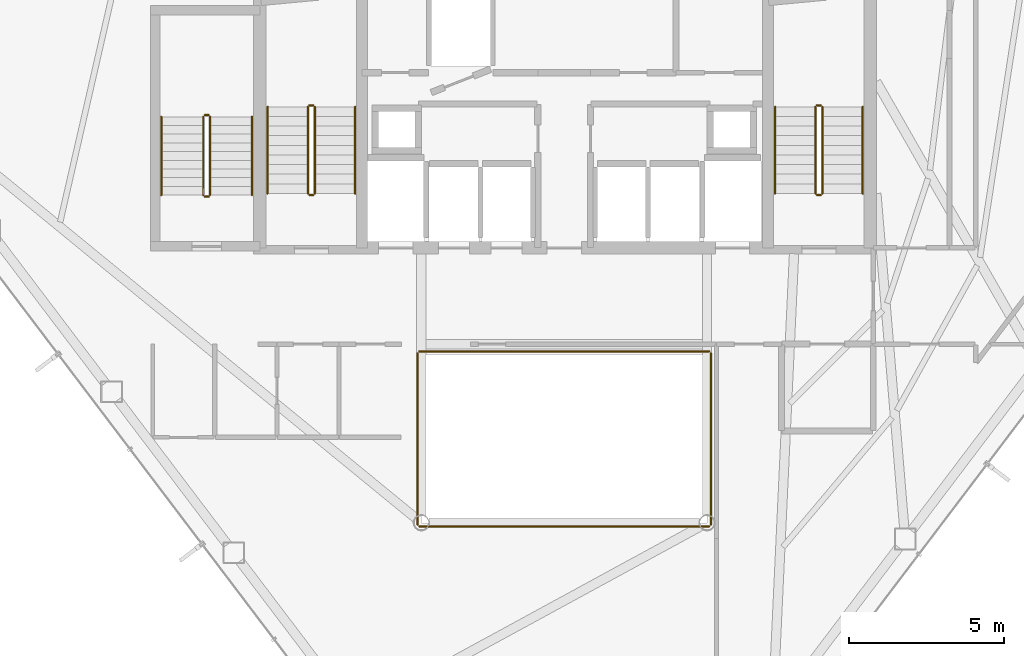
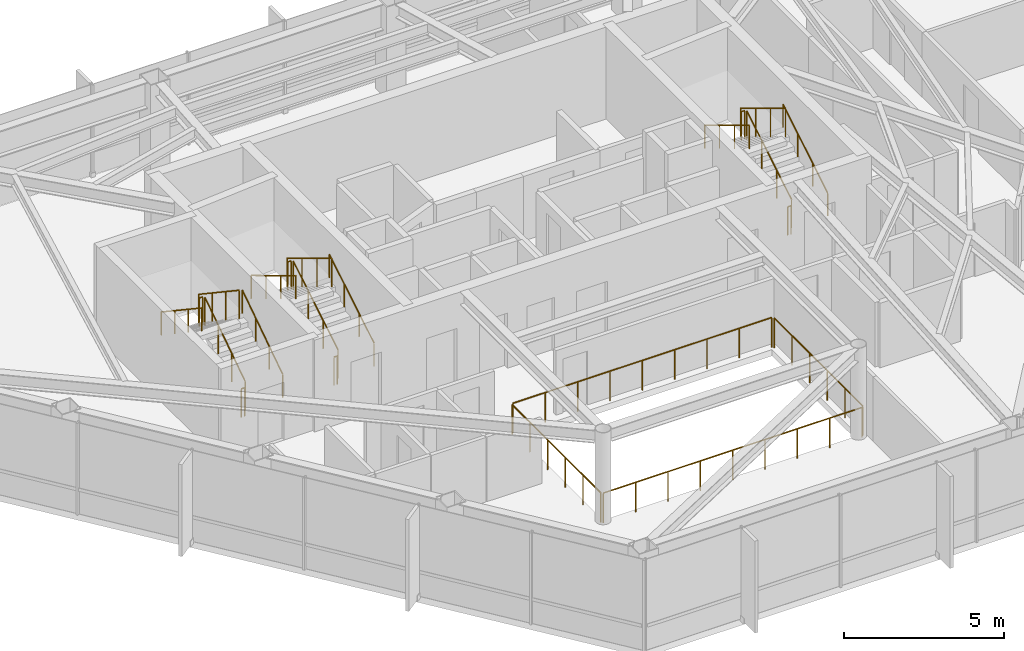
# One storey, part 28 of 28: 22 railings.
"""IFC4 building model written with IfcOpenShell, lengths in metres."""

from ifc_helpers import new_model, si_unit, direction, frame, origin, origin_2d, place, context, subcontext, project, spatial, circle, extrude, material, type_object, element, save


model = new_model("IFC4")

# Units and contexts
model_context = context("Model", 3, precision=1e-05, world=origin(), true_north=direction((0.0, 1.0)))
body_context = subcontext(model_context, "Body", "Model", "MODEL_VIEW")
ifc_project = project(units=[si_unit("LENGTHUNIT", "METRE"), si_unit("AREAUNIT", "SQUARE_METRE"), si_unit("VOLUMEUNIT", "CUBIC_METRE"), si_unit("PLANEANGLEUNIT", "RADIAN"), si_unit("MASSUNIT", "GRAM", prefix="KILO")], contexts=[model_context])

# Site, building, storey
site_placement = place(None, origin())
site = spatial("IfcSite", under=ifc_project, at=site_placement, CompositionType="ELEMENT")
building_placement = place(site_placement, origin())
building = spatial("IfcBuilding", under=site, at=building_placement, Name="Zarrinselat Tower", CompositionType="ELEMENT")
storey_placement = place(building_placement, frame((0.0, 0.0, 187.0)))
storey = spatial("IfcBuildingStorey", under=building, at=storey_placement, Name="L46", CompositionType="ELEMENT", Elevation=187.0)

# Railings
ifc_material_1 = material(Name="Double Low-E Laminated Solar Glass", Category="glass")
railing_type_1 = type_object("IfcRailingType", Name="RLG-ATRIUM-BAL", PredefinedType="BALUSTRADE", material=ifc_material_1)
railing_1_placement = place(storey_placement, frame((33.739990234375, 24.280029296875, 0.0)))
element("IfcRailing", 1, at=railing_1_placement, inside=storey, type_object=railing_type_1, Name="L46 Atrium Void Glass Balustrade S", PredefinedType="BALUSTRADE", context=body_context, shape_type="SweptSolid", body=[
    extrude(circle(Radius=0.02392578125, at=origin_2d()), frame((0.0, 0.0, 1.1259765625), z_axis=(1.0, 0.0, 0.0), x_axis=(0.0, 1.0, 0.0)), (0.0, 0.0, 1.0), 9.320068359375),
    extrude(circle(Radius=0.02099609375, at=origin_2d()), origin(), (0.0, 0.0, 1.0), 1.099853515625),
    extrude(circle(Radius=0.02099609375, at=origin_2d()), frame((1.1650390625, 0.0, 0.0)), (0.0, 0.0, 1.0), 1.099853515625),
    extrude(circle(Radius=0.02099609375, at=origin_2d()), frame((2.330078125, 0.0, 0.0)), (0.0, 0.0, 1.0), 1.099853515625),
    extrude(circle(Radius=0.02099609375, at=origin_2d()), frame((3.4951171875, 0.0, 0.0)), (0.0, 0.0, 1.0), 1.099853515625),
    extrude(circle(Radius=0.02099609375, at=origin_2d()), frame((4.66015625, 0.0, 0.0)), (0.0, 0.0, 1.0), 1.099853515625),
    extrude(circle(Radius=0.02099609375, at=origin_2d()), frame((5.824951171875, 0.0, 0.0)), (0.0, 0.0, 1.0), 1.099853515625),
    extrude(circle(Radius=0.02099609375, at=origin_2d()), frame((6.989990234375, 0.0, 0.0)), (0.0, 0.0, 1.0), 1.099853515625),
    extrude(circle(Radius=0.02099609375, at=origin_2d()), frame((8.155029296875, 0.0, 0.0)), (0.0, 0.0, 1.0), 1.099853515625),
    extrude(circle(Radius=0.02099609375, at=origin_2d()), frame((9.320068359375, 0.0, 0.0)), (0.0, 0.0, 1.0), 1.099853515625),
])
railing_2_placement = place(storey_placement, frame((43.1201171875, 24.340087890625, 0.0)))
element("IfcRailing", 2, at=railing_2_placement, inside=storey, type_object=railing_type_1, Name="L46 Atrium Void Glass Balustrade E", PredefinedType="BALUSTRADE", context=body_context, shape_type="SweptSolid", body=[
    extrude(circle(Radius=0.02392578125, at=origin_2d()), frame((0.0, 0.0, 1.1259765625), z_axis=(0.0, 1.0, 0.0), x_axis=(-1.0, 0.0, 0.0)), (0.0, 0.0, 1.0), 5.52001953125),
    extrude(circle(Radius=0.02099609375, at=origin_2d()), origin(), (0.0, 0.0, 1.0), 1.099853515625),
    extrude(circle(Radius=0.02099609375, at=origin_2d()), frame((0.0, 1.10400390625, 0.0)), (0.0, 0.0, 1.0), 1.099853515625),
    extrude(circle(Radius=0.02099609375, at=origin_2d()), frame((0.0, 2.2080078125, 0.0)), (0.0, 0.0, 1.0), 1.099853515625),
    extrude(circle(Radius=0.02099609375, at=origin_2d()), frame((0.0, 3.31201171875, 0.0)), (0.0, 0.0, 1.0), 1.099853515625),
    extrude(circle(Radius=0.02099609375, at=origin_2d()), frame((0.0, 4.416015625, 0.0)), (0.0, 0.0, 1.0), 1.099853515625),
    extrude(circle(Radius=0.02099609375, at=origin_2d()), frame((0.0, 5.52001953125, 0.0)), (0.0, 0.0, 1.0), 1.099853515625),
])
railing_3_placement = place(storey_placement, frame((43.06005859375, 29.919921875, 0.0)))
element("IfcRailing", 3, at=railing_3_placement, inside=storey, type_object=railing_type_1, Name="L46 Atrium Void Glass Balustrade N", PredefinedType="BALUSTRADE", context=body_context, shape_type="SweptSolid", body=[
    extrude(circle(Radius=0.02392578125, at=origin_2d()), frame((0.0, 0.0, 1.1259765625), z_axis=(-1.0, 0.0, 0.0), x_axis=(0.0, -1.0, 0.0)), (0.0, 0.0, 1.0), 9.320068359375),
    extrude(circle(Radius=0.02099609375, at=origin_2d()), origin(), (0.0, 0.0, 1.0), 1.099853515625),
    extrude(circle(Radius=0.02099609375, at=origin_2d()), frame((-1.1650390625, 0.0, 0.0)), (0.0, 0.0, 1.0), 1.099853515625),
    extrude(circle(Radius=0.02099609375, at=origin_2d()), frame((-2.330078125, 0.0, 0.0)), (0.0, 0.0, 1.0), 1.099853515625),
    extrude(circle(Radius=0.02099609375, at=origin_2d()), frame((-3.4951171875, 0.0, 0.0)), (0.0, 0.0, 1.0), 1.099853515625),
    extrude(circle(Radius=0.02099609375, at=origin_2d()), frame((-4.66015625, 0.0, 0.0)), (0.0, 0.0, 1.0), 1.099853515625),
    extrude(circle(Radius=0.02099609375, at=origin_2d()), frame((-5.824951171875, 0.0, 0.0)), (0.0, 0.0, 1.0), 1.099853515625),
    extrude(circle(Radius=0.02099609375, at=origin_2d()), frame((-6.989990234375, 0.0, 0.0)), (0.0, 0.0, 1.0), 1.099853515625),
    extrude(circle(Radius=0.02099609375, at=origin_2d()), frame((-8.155029296875, 0.0, 0.0)), (0.0, 0.0, 1.0), 1.099853515625),
    extrude(circle(Radius=0.02099609375, at=origin_2d()), frame((-9.320068359375, 0.0, 0.0)), (0.0, 0.0, 1.0), 1.099853515625),
])
railing_4_placement = place(storey_placement, frame((33.679931640625, 29.860107421875, 0.0)))
element("IfcRailing", 4, at=railing_4_placement, inside=storey, type_object=railing_type_1, Name="L46 Atrium Void Glass Balustrade W", PredefinedType="BALUSTRADE", context=body_context, shape_type="SweptSolid", body=[
    extrude(circle(Radius=0.02392578125, at=origin_2d()), frame((0.0, 0.0, 1.1259765625), z_axis=(0.0, -1.0, 0.0), x_axis=(1.0, 0.0, 0.0)), (0.0, 0.0, 1.0), 5.52001953125),
    extrude(circle(Radius=0.02099609375, at=origin_2d()), origin(), (0.0, 0.0, 1.0), 1.099853515625),
    extrude(circle(Radius=0.02099609375, at=origin_2d()), frame((0.0, -1.10400390625, 0.0)), (0.0, 0.0, 1.0), 1.099853515625),
    extrude(circle(Radius=0.02099609375, at=origin_2d()), frame((0.0, -2.2080078125, 0.0)), (0.0, 0.0, 1.0), 1.099853515625),
    extrude(circle(Radius=0.02099609375, at=origin_2d()), frame((0.0, -3.31201171875, 0.0)), (0.0, 0.0, 1.0), 1.099853515625),
    extrude(circle(Radius=0.02099609375, at=origin_2d()), frame((0.0, -4.416015625, 0.0)), (0.0, 0.0, 1.0), 1.099853515625),
    extrude(circle(Radius=0.02099609375, at=origin_2d()), frame((0.0, -5.52001953125, 0.0)), (0.0, 0.0, 1.0), 1.099853515625),
])
ifc_material_2 = material(Name="Steel S355J2", Category="steel")
railing_type_2 = type_object("IfcRailingType", Name="RLG-STAIR-GUARD", PredefinedType="GUARDRAIL", material=ifc_material_2)
railing_5_placement = place(storey_placement, frame((30.3701171875, 35.0, 0.18701171875)))
element("IfcRailing", 5, at=railing_5_placement, inside=storey, type_object=railing_type_2, Name="L46 ST-1 stair guard 1", PredefinedType="GUARDRAIL", context=body_context, shape_type="SweptSolid", body=[
    extrude(circle(Radius=0.02392578125, at=origin_2d()), frame((0.0, 0.0, 1.076171875), z_axis=(0.0, 0.856260799362, 0.516543747882), x_axis=(-1.0, 0.0, 0.0)), (0.0, 0.0, 1.0), 3.25830078125),
    extrude(circle(Radius=0.02099609375, at=origin_2d()), origin(), (0.0, 0.0, 1.0), 1.050048828125),
    extrude(circle(Radius=0.02099609375, at=origin_2d()), frame((0.0, 0.929931640625, 0.56103515625)), (0.0, 0.0, 1.0), 1.050048828125),
    extrude(circle(Radius=0.02099609375, at=origin_2d()), frame((0.0, 1.860107421875, 1.1220703125)), (0.0, 0.0, 1.0), 1.050048828125),
    extrude(circle(Radius=0.02099609375, at=origin_2d()), frame((0.0, 2.7900390625, 1.68310546875)), (0.0, 0.0, 1.0), 1.050048828125),
])
railing_6_placement = place(storey_placement, frame((30.320068359375, 37.840087890625, 1.8701171875)))
element("IfcRailing", 6, at=railing_6_placement, inside=storey, type_object=railing_type_2, Name="L46 ST-1 stair guard 2", PredefinedType="GUARDRAIL", context=body_context, shape_type="SweptSolid", body=[
    extrude(circle(Radius=0.02392578125, at=origin_2d()), frame((0.0, 0.0, 1.076171875), z_axis=(-1.0, 0.0, 0.0), x_axis=(0.0, -1.0, 0.0)), (0.0, 0.0, 1.0), 0.1201171875),
    extrude(circle(Radius=0.02099609375, at=origin_2d()), origin(), (0.0, 0.0, 1.0), 1.050048828125),
    extrude(circle(Radius=0.02099609375, at=origin_2d()), frame((-0.1201171875, 0.0, 0.0)), (0.0, 0.0, 1.0), 1.050048828125),
])
railing_7_placement = place(storey_placement, frame((30.14990234375, 37.7900390625, 2.056884765625)))
element("IfcRailing", 7, at=railing_7_placement, inside=storey, type_object=railing_type_2, Name="L46 ST-1 stair guard 3", PredefinedType="GUARDRAIL", context=body_context, shape_type="SweptSolid", body=[
    extrude(circle(Radius=0.02392578125, at=origin_2d()), frame((0.0, 0.0, 1.076171875), z_axis=(0.0, -0.856260799362, 0.516543747882), x_axis=(1.0, 0.0, 0.0)), (0.0, 0.0, 1.0), 3.25830078125),
    extrude(circle(Radius=0.02099609375, at=origin_2d()), origin(), (0.0, 0.0, 1.0), 1.050048828125),
    extrude(circle(Radius=0.02099609375, at=origin_2d()), frame((0.0, -0.929931640625, 0.56103515625)), (0.0, 0.0, 1.0), 1.050048828125),
    extrude(circle(Radius=0.02099609375, at=origin_2d()), frame((0.0, -1.860107421875, 1.1220703125)), (0.0, 0.0, 1.0), 1.050048828125),
    extrude(circle(Radius=0.02099609375, at=origin_2d()), frame((0.0, -2.7900390625, 1.68310546875)), (0.0, 0.0, 1.0), 1.050048828125),
])
railing_8_placement = place(storey_placement, frame((30.320068359375, 34.949951171875, 0.0)))
element("IfcRailing", 8, at=railing_8_placement, inside=storey, type_object=railing_type_2, Name="L46 ST-1 stair guard 4", PredefinedType="GUARDRAIL", context=body_context, shape_type="SweptSolid", body=[
    extrude(circle(Radius=0.02392578125, at=origin_2d()), frame((0.0, 0.0, 1.076171875), z_axis=(-1.0, 0.0, 0.0), x_axis=(0.0, -1.0, 0.0)), (0.0, 0.0, 1.0), 0.1201171875),
    extrude(circle(Radius=0.02099609375, at=origin_2d()), origin(), (0.0, 0.0, 1.0), 1.050048828125),
    extrude(circle(Radius=0.02099609375, at=origin_2d()), frame((-0.1201171875, 0.0, 0.0)), (0.0, 0.0, 1.0), 1.050048828125),
])
railing_9_placement = place(storey_placement, frame((46.7099609375, 35.0, 0.18701171875)))
element("IfcRailing", 9, at=railing_9_placement, inside=storey, type_object=railing_type_2, Name="L46 ST-2 stair guard 1", PredefinedType="GUARDRAIL", context=body_context, shape_type="SweptSolid", body=[
    extrude(circle(Radius=0.02392578125, at=origin_2d()), frame((0.0, 0.0, 1.076171875), z_axis=(0.0, 0.856260799362, 0.516543747882), x_axis=(-1.0, 0.0, 0.0)), (0.0, 0.0, 1.0), 3.25830078125),
    extrude(circle(Radius=0.02099609375, at=origin_2d()), origin(), (0.0, 0.0, 1.0), 1.050048828125),
    extrude(circle(Radius=0.02099609375, at=origin_2d()), frame((0.0, 0.929931640625, 0.56103515625)), (0.0, 0.0, 1.0), 1.050048828125),
    extrude(circle(Radius=0.02099609375, at=origin_2d()), frame((0.0, 1.860107421875, 1.1220703125)), (0.0, 0.0, 1.0), 1.050048828125),
    extrude(circle(Radius=0.02099609375, at=origin_2d()), frame((0.0, 2.7900390625, 1.68310546875)), (0.0, 0.0, 1.0), 1.050048828125),
])
railing_10_placement = place(storey_placement, frame((46.659912109375, 37.840087890625, 1.8701171875)))
element("IfcRailing", 10, at=railing_10_placement, inside=storey, type_object=railing_type_2, Name="L46 ST-2 stair guard 2", PredefinedType="GUARDRAIL", context=body_context, shape_type="SweptSolid", body=[
    extrude(circle(Radius=0.02392578125, at=origin_2d()), frame((0.0, 0.0, 1.076171875), z_axis=(-1.0, 0.0, 0.0), x_axis=(0.0, -1.0, 0.0)), (0.0, 0.0, 1.0), 0.119873046875),
    extrude(circle(Radius=0.02099609375, at=origin_2d()), origin(), (0.0, 0.0, 1.0), 1.050048828125),
    extrude(circle(Radius=0.02099609375, at=origin_2d()), frame((-0.119873046875, 0.0, 0.0)), (0.0, 0.0, 1.0), 1.050048828125),
])
railing_11_placement = place(storey_placement, frame((46.489990234375, 37.7900390625, 2.056884765625)))
element("IfcRailing", 11, at=railing_11_placement, inside=storey, type_object=railing_type_2, Name="L46 ST-2 stair guard 3", PredefinedType="GUARDRAIL", context=body_context, shape_type="SweptSolid", body=[
    extrude(circle(Radius=0.02392578125, at=origin_2d()), frame((0.0, 0.0, 1.076171875), z_axis=(0.0, -0.856260799362, 0.516543747882), x_axis=(1.0, 0.0, 0.0)), (0.0, 0.0, 1.0), 3.25830078125),
    extrude(circle(Radius=0.02099609375, at=origin_2d()), origin(), (0.0, 0.0, 1.0), 1.050048828125),
    extrude(circle(Radius=0.02099609375, at=origin_2d()), frame((0.0, -0.929931640625, 0.56103515625)), (0.0, 0.0, 1.0), 1.050048828125),
    extrude(circle(Radius=0.02099609375, at=origin_2d()), frame((0.0, -1.860107421875, 1.1220703125)), (0.0, 0.0, 1.0), 1.050048828125),
    extrude(circle(Radius=0.02099609375, at=origin_2d()), frame((0.0, -2.7900390625, 1.68310546875)), (0.0, 0.0, 1.0), 1.050048828125),
])
railing_12_placement = place(storey_placement, frame((46.659912109375, 34.949951171875, 0.0)))
element("IfcRailing", 12, at=railing_12_placement, inside=storey, type_object=railing_type_2, Name="L46 ST-2 stair guard 4", PredefinedType="GUARDRAIL", context=body_context, shape_type="SweptSolid", body=[
    extrude(circle(Radius=0.02392578125, at=origin_2d()), frame((0.0, 0.0, 1.076171875), z_axis=(-1.0, 0.0, 0.0), x_axis=(0.0, -1.0, 0.0)), (0.0, 0.0, 1.0), 0.119873046875),
    extrude(circle(Radius=0.02099609375, at=origin_2d()), origin(), (0.0, 0.0, 1.0), 1.050048828125),
    extrude(circle(Radius=0.02099609375, at=origin_2d()), frame((-0.119873046875, 0.0, 0.0)), (0.0, 0.0, 1.0), 1.050048828125),
])
railing_13_placement = place(storey_placement, frame((27.0, 34.949951171875, 0.18701171875)))
element("IfcRailing", 13, at=railing_13_placement, inside=storey, type_object=railing_type_2, Name="L46 ST-3 stair guard 1", PredefinedType="GUARDRAIL", context=body_context, shape_type="SweptSolid", body=[
    extrude(circle(Radius=0.02392578125, at=origin_2d()), frame((0.0, 0.0, 1.076171875), z_axis=(0.0, 0.831579006341, 0.555406478368), x_axis=(-1.0, 0.0, 0.0)), (0.0, 0.0, 1.0), 3.030517578125),
    extrude(circle(Radius=0.02099609375, at=origin_2d()), origin(), (0.0, 0.0, 1.0), 1.050048828125),
    extrude(circle(Radius=0.02099609375, at=origin_2d()), frame((0.0, 0.840087890625, 0.56103515625)), (0.0, 0.0, 1.0), 1.050048828125),
    extrude(circle(Radius=0.02099609375, at=origin_2d()), frame((0.0, 1.679931640625, 1.1220703125)), (0.0, 0.0, 1.0), 1.050048828125),
    extrude(circle(Radius=0.02099609375, at=origin_2d()), frame((0.0, 2.52001953125, 1.68310546875)), (0.0, 0.0, 1.0), 1.050048828125),
])
railing_14_placement = place(storey_placement, frame((26.949951171875, 37.52001953125, 1.8701171875)))
element("IfcRailing", 14, at=railing_14_placement, inside=storey, type_object=railing_type_2, Name="L46 ST-3 stair guard 2", PredefinedType="GUARDRAIL", context=body_context, shape_type="SweptSolid", body=[
    extrude(circle(Radius=0.02392578125, at=origin_2d()), frame((0.0, 0.0, 1.076171875), z_axis=(-1.0, 0.0, 0.0), x_axis=(0.0, -1.0, 0.0)), (0.0, 0.0, 1.0), 0.119873046875),
    extrude(circle(Radius=0.02099609375, at=origin_2d()), origin(), (0.0, 0.0, 1.0), 1.050048828125),
    extrude(circle(Radius=0.02099609375, at=origin_2d()), frame((-0.119873046875, 0.0, 0.0)), (0.0, 0.0, 1.0), 1.050048828125),
])
railing_15_placement = place(storey_placement, frame((26.780029296875, 37.469970703125, 2.056884765625)))
element("IfcRailing", 15, at=railing_15_placement, inside=storey, type_object=railing_type_2, Name="L46 ST-3 stair guard 3", PredefinedType="GUARDRAIL", context=body_context, shape_type="SweptSolid", body=[
    extrude(circle(Radius=0.02392578125, at=origin_2d()), frame((0.0, 0.0, 1.076171875), z_axis=(0.0, -0.831579006341, 0.555406478368), x_axis=(1.0, 0.0, 0.0)), (0.0, 0.0, 1.0), 3.030517578125),
    extrude(circle(Radius=0.02099609375, at=origin_2d()), origin(), (0.0, 0.0, 1.0), 1.050048828125),
    extrude(circle(Radius=0.02099609375, at=origin_2d()), frame((0.0, -0.840087890625, 0.56103515625)), (0.0, 0.0, 1.0), 1.050048828125),
    extrude(circle(Radius=0.02099609375, at=origin_2d()), frame((0.0, -1.679931640625, 1.1220703125)), (0.0, 0.0, 1.0), 1.050048828125),
    extrude(circle(Radius=0.02099609375, at=origin_2d()), frame((0.0, -2.52001953125, 1.68310546875)), (0.0, 0.0, 1.0), 1.050048828125),
])
railing_16_placement = place(storey_placement, frame((26.949951171875, 34.89990234375, 0.0)))
element("IfcRailing", 16, at=railing_16_placement, inside=storey, type_object=railing_type_2, Name="L46 ST-3 stair guard 4", PredefinedType="GUARDRAIL", context=body_context, shape_type="SweptSolid", body=[
    extrude(circle(Radius=0.02392578125, at=origin_2d()), frame((0.0, 0.0, 1.076171875), z_axis=(-1.0, 0.0, 0.0), x_axis=(0.0, -1.0, 0.0)), (0.0, 0.0, 1.0), 0.119873046875),
    extrude(circle(Radius=0.02099609375, at=origin_2d()), origin(), (0.0, 0.0, 1.0), 1.050048828125),
    extrude(circle(Radius=0.02099609375, at=origin_2d()), frame((-0.119873046875, 0.0, 0.0)), (0.0, 0.0, 1.0), 1.050048828125),
])
ifc_material_3 = material(Name="Steel S355J2", Category="steel")
railing_type_3 = type_object("IfcRailingType", Name="RLG-STAIR-HAND", PredefinedType="HANDRAIL", material=ifc_material_3)
railing_17_placement = place(storey_placement, frame((31.669921875, 35.0, 0.18701171875)))
element("IfcRailing", 17, at=railing_17_placement, inside=storey, type_object=railing_type_3, Name="L46 ST-1 stair handrail 1", PredefinedType="HANDRAIL", context=body_context, shape_type="SweptSolid", body=[
    extrude(circle(Radius=0.02392578125, at=origin_2d()), frame((0.0, 0.0, 0.8759765625), z_axis=(0.0, 0.856260799362, 0.516543747882), x_axis=(-1.0, 0.0, 0.0)), (0.0, 0.0, 1.0), 3.25830078125),
    extrude(circle(Radius=0.02099609375, at=origin_2d()), origin(), (0.0, 0.0, 1.0), 0.849853515625),
    extrude(circle(Radius=0.02099609375, at=origin_2d()), frame((0.0, 0.929931640625, 0.56103515625)), (0.0, 0.0, 1.0), 0.849853515625),
    extrude(circle(Radius=0.02099609375, at=origin_2d()), frame((0.0, 1.860107421875, 1.1220703125)), (0.0, 0.0, 1.0), 0.849853515625),
    extrude(circle(Radius=0.02099609375, at=origin_2d()), frame((0.0, 2.7900390625, 1.68310546875)), (0.0, 0.0, 1.0), 0.849853515625),
])
railing_18_placement = place(storey_placement, frame((28.85009765625, 37.7900390625, 2.056884765625)))
element("IfcRailing", 18, at=railing_18_placement, inside=storey, type_object=railing_type_3, Name="L46 ST-1 stair handrail 2", PredefinedType="HANDRAIL", context=body_context, shape_type="SweptSolid", body=[
    extrude(circle(Radius=0.02392578125, at=origin_2d()), frame((0.0, 0.0, 0.8759765625), z_axis=(0.0, -0.856260799362, 0.516543747882), x_axis=(1.0, 0.0, 0.0)), (0.0, 0.0, 1.0), 3.25830078125),
    extrude(circle(Radius=0.02099609375, at=origin_2d()), origin(), (0.0, 0.0, 1.0), 0.849853515625),
    extrude(circle(Radius=0.02099609375, at=origin_2d()), frame((0.0, -0.929931640625, 0.56103515625)), (0.0, 0.0, 1.0), 0.849853515625),
    extrude(circle(Radius=0.02099609375, at=origin_2d()), frame((0.0, -1.860107421875, 1.1220703125)), (0.0, 0.0, 1.0), 0.849853515625),
    extrude(circle(Radius=0.02099609375, at=origin_2d()), frame((0.0, -2.7900390625, 1.68310546875)), (0.0, 0.0, 1.0), 0.849853515625),
])
railing_19_placement = place(storey_placement, frame((48.010009765625, 35.0, 0.18701171875)))
element("IfcRailing", 19, at=railing_19_placement, inside=storey, type_object=railing_type_3, Name="L46 ST-2 stair handrail 1", PredefinedType="HANDRAIL", context=body_context, shape_type="SweptSolid", body=[
    extrude(circle(Radius=0.02392578125, at=origin_2d()), frame((0.0, 0.0, 0.8759765625), z_axis=(0.0, 0.856260799362, 0.516543747882), x_axis=(-1.0, 0.0, 0.0)), (0.0, 0.0, 1.0), 3.25830078125),
    extrude(circle(Radius=0.02099609375, at=origin_2d()), origin(), (0.0, 0.0, 1.0), 0.849853515625),
    extrude(circle(Radius=0.02099609375, at=origin_2d()), frame((0.0, 0.929931640625, 0.56103515625)), (0.0, 0.0, 1.0), 0.849853515625),
    extrude(circle(Radius=0.02099609375, at=origin_2d()), frame((0.0, 1.860107421875, 1.1220703125)), (0.0, 0.0, 1.0), 0.849853515625),
    extrude(circle(Radius=0.02099609375, at=origin_2d()), frame((0.0, 2.7900390625, 1.68310546875)), (0.0, 0.0, 1.0), 0.849853515625),
])
railing_20_placement = place(storey_placement, frame((45.18994140625, 37.7900390625, 2.056884765625)))
element("IfcRailing", 20, at=railing_20_placement, inside=storey, type_object=railing_type_3, Name="L46 ST-2 stair handrail 2", PredefinedType="HANDRAIL", context=body_context, shape_type="SweptSolid", body=[
    extrude(circle(Radius=0.02392578125, at=origin_2d()), frame((0.0, 0.0, 0.8759765625), z_axis=(0.0, -0.856260799362, 0.516543747882), x_axis=(1.0, 0.0, 0.0)), (0.0, 0.0, 1.0), 3.25830078125),
    extrude(circle(Radius=0.02099609375, at=origin_2d()), origin(), (0.0, 0.0, 1.0), 0.849853515625),
    extrude(circle(Radius=0.02099609375, at=origin_2d()), frame((0.0, -0.929931640625, 0.56103515625)), (0.0, 0.0, 1.0), 0.849853515625),
    extrude(circle(Radius=0.02099609375, at=origin_2d()), frame((0.0, -1.860107421875, 1.1220703125)), (0.0, 0.0, 1.0), 0.849853515625),
    extrude(circle(Radius=0.02099609375, at=origin_2d()), frame((0.0, -2.7900390625, 1.68310546875)), (0.0, 0.0, 1.0), 0.849853515625),
])
railing_21_placement = place(storey_placement, frame((28.35009765625, 34.949951171875, 0.18701171875)))
element("IfcRailing", 21, at=railing_21_placement, inside=storey, type_object=railing_type_3, Name="L46 ST-3 stair handrail 1", PredefinedType="HANDRAIL", context=body_context, shape_type="SweptSolid", body=[
    extrude(circle(Radius=0.02392578125, at=origin_2d()), frame((0.0, 0.0, 0.8759765625), z_axis=(0.0, 0.831579006341, 0.555406478368), x_axis=(-1.0, 0.0, 0.0)), (0.0, 0.0, 1.0), 3.030517578125),
    extrude(circle(Radius=0.02099609375, at=origin_2d()), origin(), (0.0, 0.0, 1.0), 0.849853515625),
    extrude(circle(Radius=0.02099609375, at=origin_2d()), frame((0.0, 0.840087890625, 0.56103515625)), (0.0, 0.0, 1.0), 0.849853515625),
    extrude(circle(Radius=0.02099609375, at=origin_2d()), frame((0.0, 1.679931640625, 1.1220703125)), (0.0, 0.0, 1.0), 0.849853515625),
    extrude(circle(Radius=0.02099609375, at=origin_2d()), frame((0.0, 2.52001953125, 1.68310546875)), (0.0, 0.0, 1.0), 0.849853515625),
])
railing_22_placement = place(storey_placement, frame((25.429931640625, 37.469970703125, 2.056884765625)))
element("IfcRailing", 22, at=railing_22_placement, inside=storey, type_object=railing_type_3, Name="L46 ST-3 stair handrail 2", PredefinedType="HANDRAIL", context=body_context, shape_type="SweptSolid", body=[
    extrude(circle(Radius=0.02392578125, at=origin_2d()), frame((0.0, 0.0, 0.8759765625), z_axis=(0.0, -0.831579006341, 0.555406478368), x_axis=(1.0, 0.0, 0.0)), (0.0, 0.0, 1.0), 3.030517578125),
    extrude(circle(Radius=0.02099609375, at=origin_2d()), origin(), (0.0, 0.0, 1.0), 0.849853515625),
    extrude(circle(Radius=0.02099609375, at=origin_2d()), frame((0.0, -0.840087890625, 0.56103515625)), (0.0, 0.0, 1.0), 0.849853515625),
    extrude(circle(Radius=0.02099609375, at=origin_2d()), frame((0.0, -1.679931640625, 1.1220703125)), (0.0, 0.0, 1.0), 0.849853515625),
    extrude(circle(Radius=0.02099609375, at=origin_2d()), frame((0.0, -2.52001953125, 1.68310546875)), (0.0, 0.0, 1.0), 0.849853515625),
])

save(model, "model.ifc")
